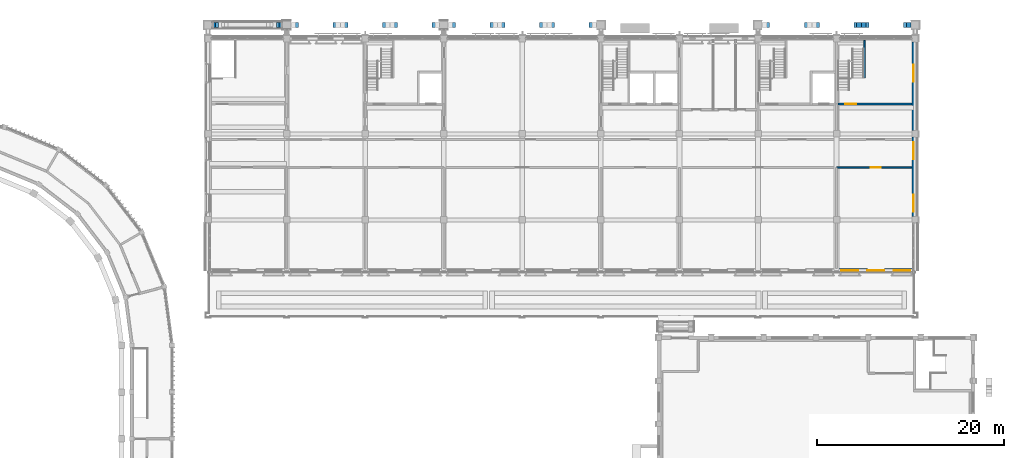
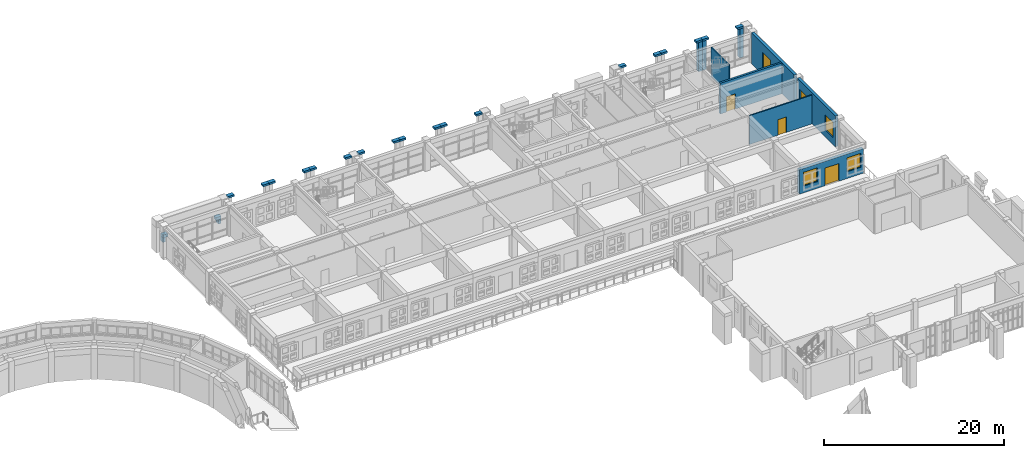
# One storey, part 69 of 99: 34 walls, 5 windows, 3 doors, 8 openings.
"""IFC4 building model written with IfcOpenShell, lengths in metres."""

from ifc_helpers import new_model, si_unit, direction, frame, frame_2d, origin, place, context, subcontext, project, spatial, rectangle, extrude, material, layer, layer_set, type_object, element, fill, save


model = new_model("IFC4")

# Units and contexts
model_context = context("Model", 3, precision=1e-05, world=origin(), true_north=direction((0.0, 1.0)))
body_context = subcontext(model_context, "Body", "Model", "MODEL_VIEW")
ifc_project = project(units=[si_unit("LENGTHUNIT", "METRE"), si_unit("AREAUNIT", "SQUARE_METRE"), si_unit("VOLUMEUNIT", "CUBIC_METRE"), si_unit("PLANEANGLEUNIT", "RADIAN"), si_unit("MASSUNIT", "GRAM", prefix="KILO")], contexts=[model_context])

# Site, building, storey
site_placement = place(None, origin())
site = spatial("IfcSite", under=ifc_project, at=site_placement, CompositionType="ELEMENT")
building_placement = place(site_placement, origin())
building = spatial("IfcBuilding", under=site, at=building_placement, Name="Wasatch Bagh Community Centre", CompositionType="ELEMENT")
storey_placement = place(building_placement, frame((0.0, 0.0, 4.199951171875)))
storey = spatial("IfcBuildingStorey", under=building, at=storey_placement, Name="L01", CompositionType="ELEMENT", Elevation=4.199951171875)

# Wall, opening, door
ifc_material_1 = material(Name="Concrete C40", Category="concrete")
ifc_layer_1 = layer(ifc_material_1, 0.25)
ifc_layer_set_1 = layer_set([ifc_layer_1], Name="Concrete C40")
wall_type_1 = type_object("IfcWallType", Name="LW core wall 250", PredefinedType="SHEAR", material=ifc_layer_set_1)
wall_1_placement = place(storey_placement, frame((131.324951171875, 90.800048828125, 0.0), z_axis=(0.0, 0.0, 1.0), x_axis=(1.0, 0.0, 0.0)))
wall_1 = element("IfcWall", 1, at=wall_1_placement, inside=storey, type_object=wall_type_1, Name="LW.swall.L01.09", PredefinedType="SHEAR", context=body_context, shape_type="SweptSolid", body=[
    extrude(rectangle(XDim=7.925048828125, YDim=0.25, at=frame_2d((3.96240234375, 0.0))), origin(), (0.0, 0.0, 1.0), 4.199951171875),
])
opening_1_placement = place(wall_1_placement, frame((0.77490234375, 0.0, 0.0)))
opening_1 = element("IfcOpeningElement", 2, at=opening_1_placement, cuts=wall_1, Name="Opening 1L-46", PredefinedType="OPENING", context=body_context, shape_type="SweptSolid", body=[
    extrude(rectangle(XDim=1.199951171875, YDim=2.10009765625, at=frame_2d((0.60009765625, 1.050048828125))), frame((0.0, 0.135009765625, 0.0), z_axis=(0.0, -1.0, 0.0), x_axis=(1.0, 0.0, 0.0)), (0.0, 0.0, 1.0), 0.27001953125),
])
ifc_material_2 = material(Name="Painted timber", Category="wood")
door_type_1 = type_object("IfcDoorType", Name="LW stair door 1200x2100", OperationType="SINGLE_SWING_LEFT", PredefinedType="DOOR", material=ifc_material_2)
door_1_placement = place(opening_1_placement, origin())
door_1 = element("IfcDoor", 3, at=door_1_placement, inside=storey, type_object=door_type_1, Name="Stair door 1L-46", OperationType="SINGLE_SWING_RIGHT", OverallHeight=2.10009765625, OverallWidth=1.199951171875, PredefinedType="DOOR", context=body_context, shape_type="SweptSolid", body=[
    extrude(rectangle(XDim=1.199951171875, YDim=2.10009765625, at=frame_2d((0.60009765625, 1.050048828125))), frame((0.0, 0.02490234375, 0.0), z_axis=(0.0, -1.0, 0.0), x_axis=(1.0, 0.0, 0.0)), (0.0, 0.0, 1.0), 0.050048828125),
])
fill(opening_1, door_1)

# Wall, openings, windows
ifc_layer_2 = layer(ifc_material_1, 0.35009765625)
ifc_layer_set_2 = layer_set([ifc_layer_2], Name="Concrete C40")
wall_type_2 = type_object("IfcWallType", Name="LW end shear wall 350", PredefinedType="SHEAR", material=ifc_layer_set_2)
wall_2_placement = place(storey_placement, frame((139.425048828125, 87.25, 0.0), z_axis=(0.0, 0.0, 1.0), x_axis=(0.0, -1.0, 0.0)))
wall_2 = element("IfcWall", 4, at=wall_2_placement, inside=storey, type_object=wall_type_2, Name="LW.swall.L01.27", PredefinedType="SHEAR", context=body_context, shape_type="SweptSolid", body=[
    extrude(rectangle(XDim=8.5, YDim=0.35009765625, at=frame_2d((4.25, 0.0))), origin(), (0.0, 0.0, 1.0), 4.199951171875),
])
opening_2_placement = place(wall_2_placement, frame((6.14990234375, 0.0, 0.89990234375)))
opening_2 = element("IfcOpeningElement", 5, at=opening_2_placement, cuts=wall_2, Name="Opening 1L-W028", PredefinedType="OPENING", context=body_context, shape_type="SweptSolid", body=[
    extrude(rectangle(XDim=1.800048828125, YDim=2.10009765625, at=frame_2d((0.89990234375, 1.050048828125))), frame((0.0, 0.18505859375, 0.0), z_axis=(0.0, -1.0, 0.0), x_axis=(1.0, 0.0, 0.0)), (0.0, 0.0, 1.0), 0.3701171875),
])
opening_3_placement = place(wall_2_placement, frame((0.550048828125, 0.0, 0.89990234375)))
opening_3 = element("IfcOpeningElement", 6, at=opening_3_placement, cuts=wall_2, Name="Opening 1L-W029", PredefinedType="OPENING", context=body_context, shape_type="SweptSolid", body=[
    extrude(rectangle(XDim=1.800048828125, YDim=2.10009765625, at=frame_2d((0.89990234375, 1.050048828125))), frame((0.0, 0.18505859375, 0.0), z_axis=(0.0, -1.0, 0.0), x_axis=(1.0, 0.0, 0.0)), (0.0, 0.0, 1.0), 0.3701171875),
])
ifc_material_3 = material(Name="Aluminium framed double glazing", Category="aluminium")
window_type_1 = type_object("IfcWindowType", Name="LW window 1800x2100", PartitioningType="SINGLE_PANEL", PredefinedType="WINDOW", material=ifc_material_3)
window_1_placement = place(opening_2_placement, origin())
window_1 = element("IfcWindow", 7, at=window_1_placement, inside=storey, type_object=window_type_1, Name="Window 1L-W028", OverallHeight=2.10009765625, OverallWidth=1.800048828125, PartitioningType="SINGLE_PANEL", PredefinedType="WINDOW", context=body_context, shape_type="SweptSolid", body=[
    extrude(rectangle(XDim=1.800048828125, YDim=2.10009765625, at=frame_2d((0.89990234375, 1.050048828125))), frame((0.0, 0.030029296875, 0.0), z_axis=(0.0, -1.0, 0.0), x_axis=(1.0, 0.0, 0.0)), (0.0, 0.0, 1.0), 0.06005859375),
])
fill(opening_2, window_1)
window_2_placement = place(opening_3_placement, origin())
window_2 = element("IfcWindow", 8, at=window_2_placement, inside=storey, type_object=window_type_1, Name="Window 1L-W029", OverallHeight=2.10009765625, OverallWidth=1.800048828125, PartitioningType="SINGLE_PANEL", PredefinedType="WINDOW", context=body_context, shape_type="SweptSolid", body=[
    extrude(rectangle(XDim=1.800048828125, YDim=2.10009765625, at=frame_2d((0.89990234375, 1.050048828125))), frame((0.0, 0.030029296875, 0.0), z_axis=(0.0, -1.0, 0.0), x_axis=(1.0, 0.0, 0.0)), (0.0, 0.0, 1.0), 0.06005859375),
])
fill(opening_3, window_2)

# Wall, opening, window
wall_3_placement = place(storey_placement, frame((139.425048828125, 97.449951171875, 0.0), z_axis=(0.0, 0.0, 1.0), x_axis=(0.0, -1.0, 0.0)))
wall_3 = element("IfcWall", 9, at=wall_3_placement, inside=storey, type_object=wall_type_2, Name="LW.swall.L01.28", PredefinedType="SHEAR", context=body_context, shape_type="SweptSolid", body=[
    extrude(rectangle(XDim=9.5, YDim=0.35009765625, at=frame_2d((4.75, 0.0))), origin(), (0.0, 0.0, 1.0), 4.199951171875),
])
opening_4_placement = place(wall_3_placement, frame((2.449951171875, 0.0, 0.89990234375)))
opening_4 = element("IfcOpeningElement", 10, at=opening_4_placement, cuts=wall_3, Name="Opening 1L-W030", PredefinedType="OPENING", context=body_context, shape_type="SweptSolid", body=[
    extrude(rectangle(XDim=1.800048828125, YDim=2.10009765625, at=frame_2d((0.89990234375, 1.050048828125))), frame((0.0, 0.18505859375, 0.0), z_axis=(0.0, -1.0, 0.0), x_axis=(1.0, 0.0, 0.0)), (0.0, 0.0, 1.0), 0.3701171875),
])
window_3_placement = place(opening_4_placement, origin())
window_3 = element("IfcWindow", 11, at=window_3_placement, inside=storey, type_object=window_type_1, Name="Window 1L-W030", OverallHeight=2.10009765625, OverallWidth=1.800048828125, PartitioningType="SINGLE_PANEL", PredefinedType="WINDOW", context=body_context, shape_type="SweptSolid", body=[
    extrude(rectangle(XDim=1.800048828125, YDim=2.10009765625, at=frame_2d((0.89990234375, 1.050048828125))), frame((0.0, 0.030029296875, 0.0), z_axis=(0.0, -1.0, 0.0), x_axis=(1.0, 0.0, 0.0)), (0.0, 0.0, 1.0), 0.06005859375),
])
fill(opening_4, window_3)

# Wall, openings, door, windows
ifc_material_4 = material(Name="Concrete C35", Category="concrete")
ifc_layer_3 = layer(ifc_material_4, 0.39990234375)
ifc_layer_set_3 = layer_set([ifc_layer_3], Name="Concrete C35")
wall_type_3 = type_object("IfcWallType", Name="LW facade wall 400", PredefinedType="SOLIDWALL", material=ifc_layer_set_3)
wall_4_placement = place(storey_placement, frame((131.199951171875, 73.0, 0.0), z_axis=(0.0, 0.0, 1.0), x_axis=(1.0, 0.0, 0.0)))
wall_4 = element("IfcWall", 12, at=wall_4_placement, inside=storey, type_object=wall_type_3, Name="Facade wall", PredefinedType="SOLIDWALL", context=body_context, shape_type="SweptSolid", body=[
    extrude(rectangle(XDim=8.215087890625, YDim=0.39990234375, at=frame_2d((4.107421875, 0.0))), origin(), (0.0, 0.0, 1.0), 3.320068359375),
])
opening_5_placement = place(wall_4_placement, frame((3.300048828125, 0.0, 0.0)))
opening_5 = element("IfcOpeningElement", 13, at=opening_5_placement, cuts=wall_4, Name="Opening 1L-09", PredefinedType="OPENING", context=body_context, shape_type="SweptSolid", body=[
    extrude(rectangle(XDim=1.800048828125, YDim=2.39990234375, at=frame_2d((0.89990234375, 1.199951171875))), frame((0.0, 0.2099609375, 0.0), z_axis=(0.0, -1.0, 0.0), x_axis=(1.0, 0.0, 0.0)), (0.0, 0.0, 1.0), 0.419921875),
])
opening_6_placement = place(wall_4_placement, frame((0.5, 0.0, 0.89990234375)))
opening_6 = element("IfcOpeningElement", 14, at=opening_6_placement, cuts=wall_4, Name="Opening 1L-W017", PredefinedType="OPENING", context=body_context, shape_type="SweptSolid", body=[
    extrude(rectangle(XDim=1.800048828125, YDim=1.89990234375, at=frame_2d((0.89990234375, 0.949951171875))), frame((0.0, 0.2099609375, 0.0), z_axis=(0.0, -1.0, 0.0), x_axis=(1.0, 0.0, 0.0)), (0.0, 0.0, 1.0), 0.419921875),
])
opening_7_placement = place(wall_4_placement, frame((6.10009765625, 0.0, 0.89990234375)))
opening_7 = element("IfcOpeningElement", 15, at=opening_7_placement, cuts=wall_4, Name="Opening 1L-W018", PredefinedType="OPENING", context=body_context, shape_type="SweptSolid", body=[
    extrude(rectangle(XDim=1.800048828125, YDim=1.89990234375, at=frame_2d((0.89990234375, 0.949951171875))), frame((0.0, 0.2099609375, 0.0), z_axis=(0.0, -1.0, 0.0), x_axis=(1.0, 0.0, 0.0)), (0.0, 0.0, 1.0), 0.419921875),
])
ifc_material_5 = material(Name="Aluminium framed glazed door", Category="aluminium")
door_type_2 = type_object("IfcDoorType", Name="LW terrace door pair 1800x2400", OperationType="DOUBLE_DOOR_SINGLE_SWING", PredefinedType="DOOR", material=ifc_material_5)
door_2_placement = place(opening_5_placement, origin())
door_2 = element("IfcDoor", 16, at=door_2_placement, inside=storey, type_object=door_type_2, Name="Terrace door 1L-09", OperationType="DOUBLE_DOOR_SINGLE_SWING", OverallHeight=2.39990234375, OverallWidth=1.800048828125, PredefinedType="DOOR", context=body_context, shape_type="SweptSolid", body=[
    extrude(rectangle(XDim=1.800048828125, YDim=2.39990234375, at=frame_2d((0.89990234375, 1.199951171875))), frame((0.0, 0.02490234375, 0.0), z_axis=(0.0, -1.0, 0.0), x_axis=(1.0, 0.0, 0.0)), (0.0, 0.0, 1.0), 0.050048828125),
])
fill(opening_5, door_2)
window_type_2 = type_object("IfcWindowType", Name="LW window 1800x1900", PartitioningType="SINGLE_PANEL", PredefinedType="WINDOW", material=ifc_material_3)
window_4_placement = place(opening_6_placement, origin())
window_4 = element("IfcWindow", 17, at=window_4_placement, inside=storey, type_object=window_type_2, Name="Window 1L-W017", OverallHeight=1.89990234375, OverallWidth=1.800048828125, PartitioningType="SINGLE_PANEL", PredefinedType="WINDOW", context=body_context, shape_type="SweptSolid", body=[
    extrude(rectangle(XDim=1.800048828125, YDim=1.89990234375, at=frame_2d((0.89990234375, 0.949951171875))), frame((0.0, 0.030029296875, 0.0), z_axis=(0.0, -1.0, 0.0), x_axis=(1.0, 0.0, 0.0)), (0.0, 0.0, 1.0), 0.06005859375),
])
fill(opening_6, window_4)
window_5_placement = place(opening_7_placement, origin())
window_5 = element("IfcWindow", 18, at=window_5_placement, inside=storey, type_object=window_type_2, Name="Window 1L-W018", OverallHeight=1.89990234375, OverallWidth=1.800048828125, PartitioningType="SINGLE_PANEL", PredefinedType="WINDOW", context=body_context, shape_type="SweptSolid", body=[
    extrude(rectangle(XDim=1.800048828125, YDim=1.89990234375, at=frame_2d((0.89990234375, 0.949951171875))), frame((0.0, 0.030029296875, 0.0), z_axis=(0.0, -1.0, 0.0), x_axis=(1.0, 0.0, 0.0)), (0.0, 0.0, 1.0), 0.06005859375),
])
fill(opening_7, window_5)

# Wall, opening, door
ifc_material_6 = material(Name="Gypsum board on steel studs", Category="steel")
ifc_layer_4 = layer(ifc_material_6, 0.14990234375)
ifc_layer_set_4 = layer_set([ifc_layer_4], Name="Gypsum board on steel studs")
wall_type_4 = type_object("IfcWallType", Name="LW partition 150", PredefinedType="PARTITIONING", material=ifc_layer_set_4)
wall_5_placement = place(storey_placement, frame((131.199951171875, 84.0, 0.0), z_axis=(0.0, 0.0, 1.0), x_axis=(1.0, 0.0, 0.0)))
wall_5 = element("IfcWall", 19, at=wall_5_placement, inside=storey, type_object=wall_type_4, Name="LW.part.L01.003", PredefinedType="PARTITIONING", context=body_context, shape_type="SweptSolid", body=[
    extrude(rectangle(XDim=8.050048828125, YDim=0.14990234375, at=frame_2d((4.02490234375, 0.0))), origin(), (0.0, 0.0, 1.0), 3.920166015625),
])
opening_8_placement = place(wall_5_placement, frame((3.675048828125, 0.0, 0.0)))
opening_8 = element("IfcOpeningElement", 20, at=opening_8_placement, cuts=wall_5, Name="Opening 1L-16", PredefinedType="OPENING", context=body_context, shape_type="SweptSolid", body=[
    extrude(rectangle(XDim=1.050048828125, YDim=2.10009765625, at=frame_2d((0.52490234375, 1.050048828125))), frame((0.0, 0.0849609375, 0.0), z_axis=(0.0, -1.0, 0.0), x_axis=(1.0, 0.0, 0.0)), (0.0, 0.0, 1.0), 0.169921875),
])
door_type_3 = type_object("IfcDoorType", Name="LW classroom door 1050x2100", OperationType="SINGLE_SWING_LEFT", PredefinedType="DOOR", material=ifc_material_2)
door_3_placement = place(opening_8_placement, origin())
door_3 = element("IfcDoor", 21, at=door_3_placement, inside=storey, type_object=door_type_3, Name="Door Classroom 6 1L-16", OperationType="SINGLE_SWING_RIGHT", OverallHeight=2.10009765625, OverallWidth=1.050048828125, PredefinedType="DOOR", context=body_context, shape_type="SweptSolid", body=[
    extrude(rectangle(XDim=1.050048828125, YDim=2.10009765625, at=frame_2d((0.52490234375, 1.050048828125))), frame((0.0, 0.02490234375, 0.0), z_axis=(0.0, -1.0, 0.0), x_axis=(1.0, 0.0, 0.0)), (0.0, 0.0, 1.0), 0.050048828125),
])
fill(opening_8, door_3)

# Walls
wall_6_placement = place(storey_placement, frame((134.199951171875, 93.60009765625, 0.0), z_axis=(0.0, 0.0, 1.0), x_axis=(0.0, 1.0, 0.0)))
element("IfcWall", 22, at=wall_6_placement, inside=storey, type_object=wall_type_4, Name="Stair compartment wall", PredefinedType="PARTITIONING", context=body_context, shape_type="SweptSolid", body=[
    extrude(rectangle(XDim=4.0, YDim=0.14990234375, at=frame_2d((2.0, 0.0))), origin(), (0.0, 0.0, 1.0), 3.920166015625),
])
ifc_layer_5 = layer(ifc_material_1, 0.5)
ifc_layer_set_5 = layer_set([ifc_layer_5], Name="Concrete C40")
wall_type_5 = type_object("IfcWallType", Name="LW-W6", PredefinedType="STANDARD", material=ifc_layer_set_5)
for number, where, z_axis, x_axis, name in (
    (23, (64.449951171875, 99.25, 0.900146484375), (0.0, 0.0, 1.0), (1.0, 0.0, 0.0), "LW-W6 arcade arch spandrel"),
    (24, (71.949951171875, 99.25, 0.900146484375), (0.0, 0.0, 1.0), (-1.0, 0.0, 0.0), "LW-W6 arcade arch spandrel"),
):
    element("IfcWall", number, at=place(storey_placement, frame(where, z_axis=z_axis, x_axis=x_axis)), inside=storey, type_object=wall_type_5, Name=name, PredefinedType="STANDARD", context=body_context, shape_type="SweptSolid", body=[
        extrude(rectangle(XDim=0.34130859375, YDim=0.5, at=frame_2d((0.170654296875, 0.0))), origin(), (0.0, 0.0, 1.0), 0.599853515625),
    ])
for number, where, z_axis, x_axis, name in (
    (25, (64.449951171875, 99.25, 1.5), (0.0, 0.0, 1.0), (1.0, 0.0, 0.0), "LW-W6 arcade arch spandrel"),
    (26, (71.949951171875, 99.25, 1.5), (0.0, 0.0, 1.0), (-1.0, 0.0, 0.0), "LW-W6 arcade arch spandrel"),
):
    element("IfcWall", number, at=place(storey_placement, frame(where, z_axis=z_axis, x_axis=x_axis)), inside=storey, type_object=wall_type_5, Name=name, PredefinedType="STANDARD", context=body_context, shape_type="SweptSolid", body=[
        extrude(rectangle(XDim=0.658203125, YDim=0.5, at=frame_2d((0.3291015625, 0.0))), origin(), (0.0, 0.0, 1.0), 0.400146484375),
    ])
for number, where, z_axis, x_axis, name in (
    (27, (72.85009765625, 99.25, 3.949951171875), (0.0, 0.0, 1.0), (1.0, 0.0, 0.0), "LW-W6 arcade arch spandrel"),
    (28, (78.14990234375, 99.25, 3.949951171875), (0.0, 0.0, 1.0), (-1.0, 0.0, 0.0), "LW-W6 arcade arch spandrel"),
):
    element("IfcWall", number, at=place(storey_placement, frame(where, z_axis=z_axis, x_axis=x_axis)), inside=storey, type_object=wall_type_5, Name=name, PredefinedType="STANDARD", context=body_context, shape_type="SweptSolid", body=[
        extrude(rectangle(XDim=0.802490234375, YDim=0.5, at=frame_2d((0.4013671875, 0.0))), origin(), (0.0, 0.0, 1.0), 0.25),
    ])
for number, where, z_axis, x_axis, name in (
    (29, (78.14990234375, 99.25, 3.949951171875), (0.0, 0.0, 1.0), (1.0, 0.0, 0.0), "LW-W6 arcade arch spandrel"),
    (30, (83.449951171875, 99.25, 3.949951171875), (0.0, 0.0, 1.0), (-1.0, 0.0, 0.0), "LW-W6 arcade arch spandrel"),
    (31, (83.449951171875, 99.25, 3.949951171875), (0.0, 0.0, 1.0), (1.0, 0.0, 0.0), "LW-W6 arcade arch spandrel"),
    (32, (88.75, 99.25, 3.949951171875), (0.0, 0.0, 1.0), (-1.0, 0.0, 0.0), "LW-W6 arcade arch spandrel"),
    (33, (89.64990234375, 99.25, 3.949951171875), (0.0, 0.0, 1.0), (1.0, 0.0, 0.0), "LW-W6 arcade arch spandrel"),
    (34, (94.949951171875, 99.25, 3.949951171875), (0.0, 0.0, 1.0), (-1.0, 0.0, 0.0), "LW-W6 arcade arch spandrel"),
    (35, (94.949951171875, 99.25, 3.949951171875), (0.0, 0.0, 1.0), (1.0, 0.0, 0.0), "LW-W6 arcade arch spandrel"),
    (36, (100.25, 99.25, 3.949951171875), (0.0, 0.0, 1.0), (-1.0, 0.0, 0.0), "LW-W6 arcade arch spandrel"),
    (37, (100.25, 99.25, 3.949951171875), (0.0, 0.0, 1.0), (1.0, 0.0, 0.0), "LW-W6 arcade arch spandrel"),
    (38, (105.550048828125, 99.25, 3.949951171875), (0.0, 0.0, 1.0), (-1.0, 0.0, 0.0), "LW-W6 arcade arch spandrel"),
    (39, (123.25, 99.25, 3.949951171875), (0.0, 0.0, 1.0), (1.0, 0.0, 0.0), "LW-W6 arcade arch spandrel"),
    (40, (128.550048828125, 99.25, 3.949951171875), (0.0, 0.0, 1.0), (-1.0, 0.0, 0.0), "LW-W6 arcade arch spandrel"),
):
    element("IfcWall", number, at=place(storey_placement, frame(where, z_axis=z_axis, x_axis=x_axis)), inside=storey, type_object=wall_type_5, Name=name, PredefinedType="STANDARD", context=body_context, shape_type="SweptSolid", body=[
        extrude(rectangle(XDim=0.802734375, YDim=0.5, at=frame_2d((0.4013671875, 0.0))), origin(), (0.0, 0.0, 1.0), 0.25),
    ])
wall_7_placement = place(storey_placement, frame((133.85009765625, 99.25, 0.0), z_axis=(0.0, 0.0, 1.0), x_axis=(-1.0, 0.0, 0.0)))
element("IfcWall", 41, at=wall_7_placement, inside=storey, type_object=wall_type_5, Name="LW-W6 arcade pier panel", PredefinedType="STANDARD", context=body_context, shape_type="SweptSolid", body=[
    extrude(rectangle(XDim=0.5, YDim=0.5, at=frame_2d((0.25, 0.0))), origin(), (0.0, 0.0, 1.0), 2.85009765625),
])
wall_8_placement = place(storey_placement, frame((133.85009765625, 99.25, 2.85009765625), z_axis=(0.0, 0.0, 1.0), x_axis=(-1.0, 0.0, 0.0)))
element("IfcWall", 42, at=wall_8_placement, inside=storey, type_object=wall_type_5, Name="LW-W6 arcade arch spandrel", PredefinedType="STANDARD", context=body_context, shape_type="SweptSolid", body=[
    extrude(rectangle(XDim=0.5, YDim=0.5, at=frame_2d((0.25, 0.0))), origin(), (0.0, 0.0, 1.0), 1.099853515625),
])
for number, where, z_axis, x_axis, name in (
    (43, (128.550048828125, 99.25, 3.949951171875), (0.0, 0.0, 1.0), (1.0, 0.0, 0.0), "LW-W6 arcade arch spandrel"),
    (44, (133.85009765625, 99.25, 3.949951171875), (0.0, 0.0, 1.0), (-1.0, 0.0, 0.0), "LW-W6 arcade arch spandrel"),
):
    element("IfcWall", number, at=place(storey_placement, frame(where, z_axis=z_axis, x_axis=x_axis)), inside=storey, type_object=wall_type_5, Name=name, PredefinedType="STANDARD", context=body_context, shape_type="SweptSolid", body=[
        extrude(rectangle(XDim=0.802734375, YDim=0.5, at=frame_2d((0.4013671875, 0.0))), origin(), (0.0, 0.0, 1.0), 0.25),
    ])
for number, where, z_axis, x_axis, name in (
    (45, (133.85009765625, 99.25, 0.0), (0.0, 0.0, 1.0), (1.0, 0.0, 0.0), "LW-W6 arcade pier panel"),
    (46, (139.14990234375, 99.25, 0.0), (0.0, 0.0, 1.0), (-1.0, 0.0, 0.0), "LW-W6 arcade pier panel"),
):
    element("IfcWall", number, at=place(storey_placement, frame(where, z_axis=z_axis, x_axis=x_axis)), inside=storey, type_object=wall_type_5, Name=name, PredefinedType="STANDARD", context=body_context, shape_type="SweptSolid", body=[
        extrude(rectangle(XDim=0.5, YDim=0.5, at=frame_2d((0.25, 0.0))), origin(), (0.0, 0.0, 1.0), 2.85009765625),
    ])
for number, where, z_axis, x_axis, name in (
    (47, (133.85009765625, 99.25, 2.85009765625), (0.0, 0.0, 1.0), (1.0, 0.0, 0.0), "LW-W6 arcade arch spandrel"),
    (48, (139.14990234375, 99.25, 2.85009765625), (0.0, 0.0, 1.0), (-1.0, 0.0, 0.0), "LW-W6 arcade arch spandrel"),
):
    element("IfcWall", number, at=place(storey_placement, frame(where, z_axis=z_axis, x_axis=x_axis)), inside=storey, type_object=wall_type_5, Name=name, PredefinedType="STANDARD", context=body_context, shape_type="SweptSolid", body=[
        extrude(rectangle(XDim=0.5, YDim=0.5, at=frame_2d((0.25, 0.0))), origin(), (0.0, 0.0, 1.0), 1.099853515625),
    ])
for number, where, z_axis, x_axis, name in (
    (49, (133.85009765625, 99.25, 3.949951171875), (0.0, 0.0, 1.0), (1.0, 0.0, 0.0), "LW-W6 arcade arch spandrel"),
    (50, (139.14990234375, 99.25, 3.949951171875), (0.0, 0.0, 1.0), (-1.0, 0.0, 0.0), "LW-W6 arcade arch spandrel"),
):
    element("IfcWall", number, at=place(storey_placement, frame(where, z_axis=z_axis, x_axis=x_axis)), inside=storey, type_object=wall_type_5, Name=name, PredefinedType="STANDARD", context=body_context, shape_type="SweptSolid", body=[
        extrude(rectangle(XDim=0.802490234375, YDim=0.5, at=frame_2d((0.4013671875, 0.0))), origin(), (0.0, 0.0, 1.0), 0.25),
    ])

save(model, "model.ifc")
